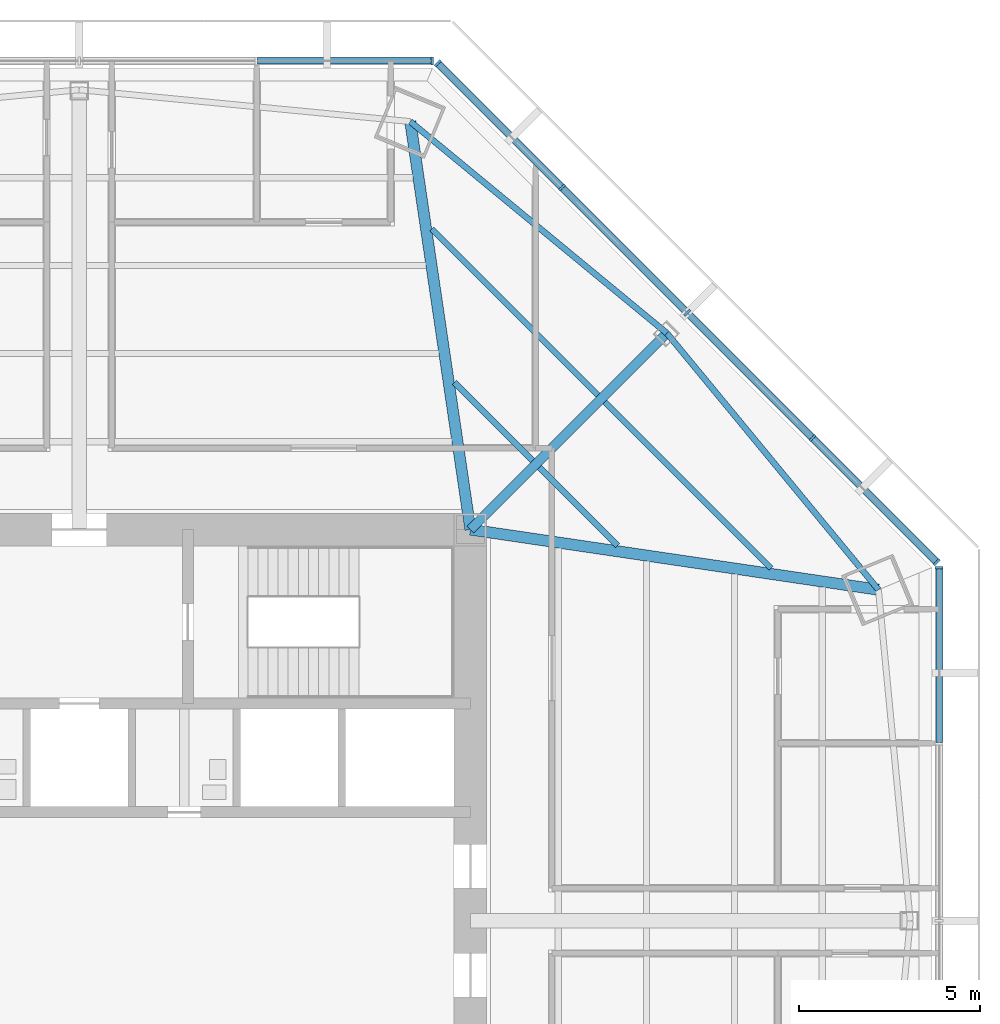
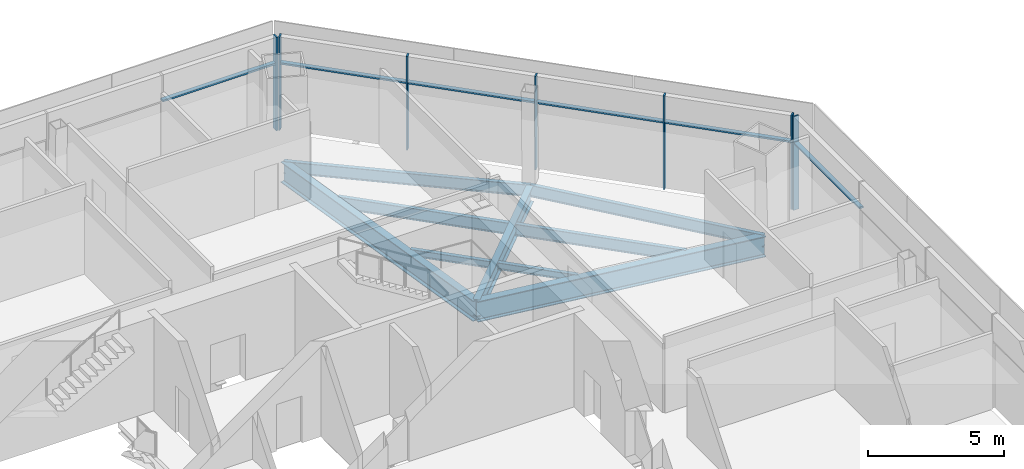
# One storey, part 6 of 15: 13 members, 9 beams, 3 elements without a shape of their own.
"""IFC4 building model written with IfcOpenShell, lengths in metres."""

from ifc_helpers import new_model, si_unit, direction, frame, origin, origin_2d, place, context, subcontext, project, spatial, rectangle, i_section, extrude, source, transform, mapped, material, material_profile, profile_set, type_object, type_shapes, element, aggregate, save


model = new_model("IFC4")

# Units and contexts
model_context = context("Model", 3, precision=1e-05, world=origin(), true_north=direction((0.0, 1.0)))
body_context = subcontext(model_context, "Body", "Model", "MODEL_VIEW")
ifc_project = project(units=[si_unit("LENGTHUNIT", "METRE"), si_unit("AREAUNIT", "SQUARE_METRE"), si_unit("VOLUMEUNIT", "CUBIC_METRE"), si_unit("PLANEANGLEUNIT", "RADIAN"), si_unit("MASSUNIT", "GRAM", prefix="KILO")], contexts=[model_context])

# Site, building, storey
site_placement = place(None, origin())
site = spatial("IfcSite", under=ifc_project, at=site_placement, CompositionType="ELEMENT")
building_placement = place(site_placement, origin())
building = spatial("IfcBuilding", under=site, at=building_placement, Name="Mashrafa Tower", CompositionType="ELEMENT")
storey_placement = place(building_placement, frame((0.0, 0.0, 151.199951171875)))
storey = spatial("IfcBuildingStorey", under=building, at=storey_placement, Name="L34", CompositionType="ELEMENT", Elevation=151.199951171875)

# Beams
ifc_material_1 = material(Name="Steel ASTM A992", Category="steel")
ifc_material_profile_1 = material_profile(ifc_material_1, i_section(OverallWidth=0.164794921875, OverallDepth=0.309814453125, WebThickness=0.005859375, FlangeThickness=0.009765625, FilletRadius=0.007568359375, at=origin_2d()), Name="W12X26")
ifc_profile_set_1 = profile_set([ifc_material_profile_1], Name="Steel ASTM A992")
beam_type_1 = type_object("IfcBeamType", Name="Beam W12X26", PredefinedType="BEAM", material=ifc_profile_set_1)
for number, where, z_axis, x_axis, name in (
    (1, (10.35693359375, 14.85791015625, -0.31982421875), (0.707146813274, -0.707066746832, 0.0), (0.707066746832, 0.707146813274, 0.0), "Floor beam L34 033"),
    (2, (12.701904296875, 12.51318359375, -0.31982421875), (0.707066746832, -0.707146813274, 0.0), (0.707146813274, 0.707066746832, 0.0), "Floor beam L34 036"),
):
    element("IfcBeam", number, at=place(storey_placement, frame(where, z_axis=z_axis, x_axis=x_axis)), inside=storey, type_object=beam_type_1, Name=name, PredefinedType="BEAM", context=body_context, shape_type="SweptSolid", body=[
        extrude(i_section(OverallWidth=0.164794921875, OverallDepth=0.309814453125, WebThickness=0.005859375, FlangeThickness=0.009765625, FilletRadius=0.007568359375, at=origin_2d()), origin(), (0.0, 0.0, 1.0), 3.04931640625),
    ])
ifc_material_2 = material(Name="Steel ASTM A992", Category="steel")
ifc_material_profile_2 = material_profile(ifc_material_2, i_section(OverallWidth=0.1650390625, OverallDepth=0.52587890625, WebThickness=0.0087890625, FlangeThickness=0.011474609375, FilletRadius=0.0126953125, at=origin_2d()), Name="W21X44")
ifc_profile_set_2 = profile_set([ifc_material_profile_2], Name="Steel ASTM A992")
beam_type_2 = type_object("IfcBeamType", Name="Beam W21X44", PredefinedType="BEAM", material=ifc_profile_set_2)
for number, where, z_axis, x_axis, name in (
    (3, (9.731689453125, 19.09814453125, -0.427734375), (0.70712559047, -0.707087971403, 0.0), (0.707087971403, 0.70712559047, 0.0), "Floor beam L34 030"),
    (4, (14.50927734375, 14.32080078125, -0.427734375), (0.707087971403, -0.70712559047, 0.0), (0.70712559047, 0.707087971403, 0.0), "Floor beam L34 040"),
):
    element("IfcBeam", number, at=place(storey_placement, frame(where, z_axis=z_axis, x_axis=x_axis)), inside=storey, type_object=beam_type_2, Name=name, PredefinedType="BEAM", context=body_context, shape_type="SweptSolid", body=[
        extrude(i_section(OverallWidth=0.1650390625, OverallDepth=0.52587890625, WebThickness=0.0087890625, FlangeThickness=0.011474609375, FilletRadius=0.0126953125, at=origin_2d()), origin(), (0.0, 0.0, 1.0), 6.48974609375),
    ])
for number, where, z_axis, x_axis, name in (
    (5, (16.222412109375, 16.222412109375, -0.427734375), (-0.771487155934, 0.636244896427, 0.0), (-0.636244896427, -0.771487155934, 0.0), "Spandrel beam L34 077"),
    (6, (22.06396484375, 9.13916015625, -0.427734375), (-0.636244896427, 0.771487155934, 0.0), (-0.771487155934, -0.636244896427, 0.0), "Spandrel beam L34 079"),
):
    element("IfcBeam", number, at=place(storey_placement, frame(where, z_axis=z_axis, x_axis=x_axis)), inside=storey, type_object=beam_type_2, Name=name, PredefinedType="BEAM", context=body_context, shape_type="SweptSolid", body=[
        extrude(i_section(OverallWidth=0.1650390625, OverallDepth=0.52587890625, WebThickness=0.0087890625, FlangeThickness=0.011474609375, FilletRadius=0.0126953125, at=origin_2d()), origin(), (0.0, 0.0, 1.0), 9.181396484375),
    ])
ifc_material_3 = material(Name="Steel ASTM A992", Category="steel")
ifc_material_profile_3 = material_profile(ifc_material_3, i_section(OverallWidth=0.2666015625, OverallDepth=0.761962890625, WebThickness=0.014404296875, FlangeThickness=0.021484375, FilletRadius=0.0166015625, at=origin_2d()), Name="W30X116")
ifc_profile_set_3 = profile_set([ifc_material_profile_3], Name="Steel ASTM A992")
beam_type_3 = type_object("IfcBeamType", Name="Beam W30X116", PredefinedType="BEAM", material=ifc_profile_set_3)
beam_placement = place(storey_placement, frame((10.800048828125, 10.800048828125, -0.5458984375), z_axis=(0.707106781187, 0.707106781187, 0.0), x_axis=(-0.707106781187, 0.707106781187, 0.0)))
element("IfcBeam", 7, at=beam_placement, inside=storey, type_object=beam_type_3, Name="Radial girder L34 063", PredefinedType="BEAM", context=body_context, shape_type="SweptSolid", body=[
    extrude(i_section(OverallWidth=0.2666015625, OverallDepth=0.761962890625, WebThickness=0.014404296875, FlangeThickness=0.021484375, FilletRadius=0.0166015625, at=origin_2d()), origin(), (0.0, 0.0, 1.0), 7.66845703125),
])
ifc_material_4 = material(Name="Steel ASTM A992", Category="steel")
ifc_material_profile_4 = material_profile(ifc_material_4, i_section(OverallWidth=0.307373046875, OverallDepth=0.927001953125, WebThickness=0.01953125, FlangeThickness=0.031982421875, FilletRadius=0.01904296875, at=origin_2d()), Name="W36X194")
ifc_profile_set_4 = profile_set([ifc_material_profile_4], Name="Steel ASTM A992")
beam_type_4 = type_object("IfcBeamType", Name="Beam W36X194", PredefinedType="BEAM", material=ifc_profile_set_4)
for number, where, z_axis, x_axis, name in (
    (8, (10.800048828125, 10.800048828125, -0.62841796875), (-0.145874864985, 0.989303049508, 0.0), (-0.989303049508, -0.145874864985, 0.0), "Radial girder L34 062"),
    (9, (10.800048828125, 10.800048828125, -0.62841796875), (0.989303049508, -0.145874864985, 0.0), (0.145874864985, 0.989303049508, 0.0), "Radial girder L34 064"),
):
    element("IfcBeam", number, at=place(storey_placement, frame(where, z_axis=z_axis, x_axis=x_axis)), inside=storey, type_object=beam_type_4, Name=name, PredefinedType="BEAM", context=body_context, shape_type="SweptSolid", body=[
        extrude(i_section(OverallWidth=0.307373046875, OverallDepth=0.927001953125, WebThickness=0.01953125, FlangeThickness=0.031982421875, FilletRadius=0.01904296875, at=origin_2d()), origin(), (0.0, 0.0, 1.0), 11.3857421875),
    ])

# Curtain wall, member
ifc_material_5 = material(Name="Unitised aluminium curtain wall", Category="aluminium")
curtain_wall_type = type_object("IfcCurtainWallType", Name="Office curtain wall, zone 2 CW-B 225 deep", PredefinedType="NOTDEFINED", material=ifc_material_5)
curtain_wall_1_placement = place(storey_placement, origin())
curtain_wall_1 = element("IfcCurtainWall", 10, at=curtain_wall_1_placement, inside=storey, type_object=curtain_wall_type, Name="Office curtain wall, zone 2 L34 east", PredefinedType="NOTDEFINED")
ifc_material_6 = material(Name="Extruded aluminium mullion", Category="aluminium")
ifc_material_profile_5 = material_profile(ifc_material_6, rectangle(XDim=0.22509765625, YDim=0.06494140625, at=origin_2d()), Name="Mullion 65x225")
ifc_profile_set_5 = profile_set([ifc_material_profile_5], Name="Extruded aluminium mullion")
member_type_1 = type_object("IfcMemberType", Name="Mullion CW-B 65 x 225", PredefinedType="MULLION", material=ifc_profile_set_5)
shared_shape_1 = source(origin(), body_context, "Body", "SweptSolid", [
    extrude(rectangle(XDim=0.22509765625, YDim=0.06494140625, at=origin_2d()), origin(), (0.0, 0.0, 1.0), 4.199951171875),
])
type_shapes(member_type_1, [shared_shape_1])
member_1_placement = place(storey_placement, frame((23.737548828125, 9.743408203125, 0.0), z_axis=(0.0, 0.0, 1.0), x_axis=(-1.0, 0.0, 0.0)))
member_1 = element("IfcMember", 11, at=member_1_placement, type_object=member_type_1, Name="CW-B mullion 5", PredefinedType="MULLION", context=body_context, shape_type="MappedRepresentation", body=[
    mapped(shared_shape_1, transform((0.0, 0.0, 0.0))),
])

# Curtain wall, members
curtain_wall_2_placement = place(storey_placement, origin())
curtain_wall_2 = element("IfcCurtainWall", 12, at=curtain_wall_2_placement, inside=storey, type_object=curtain_wall_type, Name="Office curtain wall, zone 2 L34 north-east", PredefinedType="NOTDEFINED")
member_2_placement = place(storey_placement, frame((23.674560546875, 9.8955078125, 0.0), z_axis=(0.0, 0.0, 1.0), x_axis=(-0.707106781187, -0.707106781187, 0.0)))
member_2 = element("IfcMember", 13, at=member_2_placement, type_object=member_type_1, Name="CW-B mullion 1", PredefinedType="MULLION", context=body_context, shape_type="MappedRepresentation", body=[
    mapped(shared_shape_1, transform((0.0, 0.0, 0.0))),
])
member_3_placement = place(storey_placement, frame((20.2412109375, 13.32861328125, 0.0), z_axis=(0.0, 0.0, 1.0), x_axis=(-0.707106781187, -0.707106781187, 0.0)))
member_3 = element("IfcMember", 14, at=member_3_placement, type_object=member_type_1, Name="CW-B mullion 2", PredefinedType="MULLION", context=body_context, shape_type="MappedRepresentation", body=[
    mapped(shared_shape_1, transform((0.0, 0.0, 0.0))),
])
member_4_placement = place(storey_placement, frame((16.784912109375, 16.784912109375, 0.0), z_axis=(0.0, 0.0, 1.0), x_axis=(-0.707106781187, -0.707106781187, 0.0)))
member_4 = element("IfcMember", 15, at=member_4_placement, type_object=member_type_1, Name="CW-B mullion 3", PredefinedType="MULLION", context=body_context, shape_type="MappedRepresentation", body=[
    mapped(shared_shape_1, transform((0.0, 0.0, 0.0))),
])
member_5_placement = place(storey_placement, frame((13.32861328125, 20.2412109375, 0.0), z_axis=(0.0, 0.0, 1.0), x_axis=(-0.707106781187, -0.707106781187, 0.0)))
member_5 = element("IfcMember", 16, at=member_5_placement, type_object=member_type_1, Name="CW-B mullion 4", PredefinedType="MULLION", context=body_context, shape_type="MappedRepresentation", body=[
    mapped(shared_shape_1, transform((0.0, 0.0, 0.0))),
])
member_6_placement = place(storey_placement, frame((9.8955078125, 23.674560546875, 0.0), z_axis=(0.0, 0.0, 1.0), x_axis=(-0.707106781187, -0.707106781187, 0.0)))
member_6 = element("IfcMember", 17, at=member_6_placement, type_object=member_type_1, Name="CW-B mullion 5", PredefinedType="MULLION", context=body_context, shape_type="MappedRepresentation", body=[
    mapped(shared_shape_1, transform((0.0, 0.0, 0.0))),
])

# Curtain wall, member
curtain_wall_3_placement = place(storey_placement, origin())
curtain_wall_3 = element("IfcCurtainWall", 18, at=curtain_wall_3_placement, inside=storey, type_object=curtain_wall_type, Name="Office curtain wall, zone 2 L34 north", PredefinedType="NOTDEFINED")
member_7_placement = place(storey_placement, frame((9.743408203125, 23.737548828125, 0.0), z_axis=(0.0, 0.0, 1.0), x_axis=(0.0, -1.0, 0.0)))
member_7 = element("IfcMember", 19, at=member_7_placement, type_object=member_type_1, Name="CW-B mullion 1", PredefinedType="MULLION", context=body_context, shape_type="MappedRepresentation", body=[
    mapped(shared_shape_1, transform((0.0, 0.0, 0.0))),
])

# Member
ifc_material_7 = material(Name="Extruded aluminium transom", Category="aluminium")
ifc_material_profile_6 = material_profile(ifc_material_7, rectangle(XDim=0.179931640625, YDim=0.080078125, at=origin_2d()), Name="Transom 80x180")
ifc_profile_set_6 = profile_set([ifc_material_profile_6], Name="Extruded aluminium transom")
member_type_2 = type_object("IfcMemberType", Name="Transom CW-B 80 x 180", PredefinedType="MULLION", material=ifc_profile_set_6)
shared_shape_2 = source(origin(), body_context, "Body", "SweptSolid", [
    extrude(rectangle(XDim=0.179931640625, YDim=0.080078125, at=origin_2d()), origin(), (0.0, 0.0, 1.0), 4.790283203125),
])
member_8_placement = place(storey_placement, frame((23.737548828125, 4.92041015625, 3.0), z_axis=(0.0, 1.0, 0.0), x_axis=(-1.0, 0.0, 0.0)))
member_8 = element("IfcMember", 20, at=member_8_placement, type_object=member_type_2, Name="CW-B transom 4", PredefinedType="MULLION", context=body_context, shape_type="MappedRepresentation", body=[
    mapped(shared_shape_2, transform((0.0, 0.0, 0.0))),
])

aggregate(curtain_wall_1, [member_1, member_8])

member_9_placement = place(storey_placement, frame((9.710693359375, 23.737548828125, 3.0), z_axis=(-1.0, 0.0, 0.0), x_axis=(0.0, -1.0, 0.0)))
member_9 = element("IfcMember", 21, at=member_9_placement, type_object=member_type_2, Name="CW-B transom 1", PredefinedType="MULLION", context=body_context, shape_type="MappedRepresentation", body=[
    mapped(shared_shape_2, transform((0.0, 0.0, 0.0))),
])

aggregate(curtain_wall_3, [member_7, member_9])

shared_shape_3 = source(origin(), body_context, "Body", "SweptSolid", [
    extrude(rectangle(XDim=0.179931640625, YDim=0.080078125, at=origin_2d()), origin(), (0.0, 0.0, 1.0), 4.822998046875),
])
member_10_placement = place(storey_placement, frame((20.21826171875, 13.3515625, 3.0), z_axis=(-0.707106781187, 0.707106781187, 0.0), x_axis=(-0.707106781187, -0.707106781187, 0.0)))
member_10 = element("IfcMember", 22, at=member_10_placement, type_object=member_type_2, Name="CW-B transom 2", PredefinedType="MULLION", context=body_context, shape_type="MappedRepresentation", body=[
    mapped(shared_shape_3, transform((0.0, 0.0, 0.0))),
])

member_11_placement = place(storey_placement, frame((16.761962890625, 16.807861328125, 3.0), z_axis=(-0.707106781187, 0.707106781187, 0.0), x_axis=(-0.707106781187, -0.707106781187, 0.0)))
member_11 = element("IfcMember", 23, at=member_11_placement, type_object=member_type_2, Name="CW-B transom 3", PredefinedType="MULLION", context=body_context, shape_type="MappedRepresentation", body=[
    mapped(shared_shape_3, transform((0.0, 0.0, 0.0))),
])

shared_shape_4 = source(origin(), body_context, "Body", "SweptSolid", [
    extrude(rectangle(XDim=0.179931640625, YDim=0.080078125, at=origin_2d()), origin(), (0.0, 0.0, 1.0), 4.79052734375),
])
type_shapes(member_type_2, [shared_shape_2, shared_shape_3, shared_shape_4])
member_12_placement = place(storey_placement, frame((23.651611328125, 9.91845703125, 3.0), z_axis=(-0.707132262971, 0.707081298484, 0.0), x_axis=(-0.707081298484, -0.707132262971, 0.0)))
member_12 = element("IfcMember", 24, at=member_12_placement, type_object=member_type_2, Name="CW-B transom 1", PredefinedType="MULLION", context=body_context, shape_type="MappedRepresentation", body=[
    mapped(shared_shape_4, transform((0.0, 0.0, 0.0))),
])

member_13_placement = place(storey_placement, frame((13.3056640625, 20.26416015625, 3.0), z_axis=(-0.707081298484, 0.707132262971, 0.0), x_axis=(-0.707132262971, -0.707081298484, 0.0)))
member_13 = element("IfcMember", 25, at=member_13_placement, type_object=member_type_2, Name="CW-B transom 4", PredefinedType="MULLION", context=body_context, shape_type="MappedRepresentation", body=[
    mapped(shared_shape_4, transform((0.0, 0.0, 0.0))),
])

aggregate(curtain_wall_2, [member_2, member_3, member_4, member_5, member_6, member_12, member_10, member_11, member_13])

save(model, "model.ifc")
